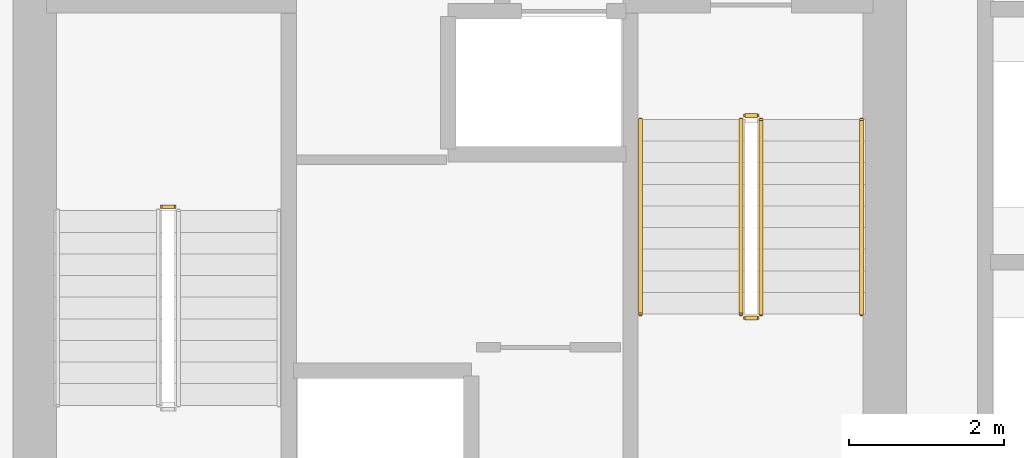
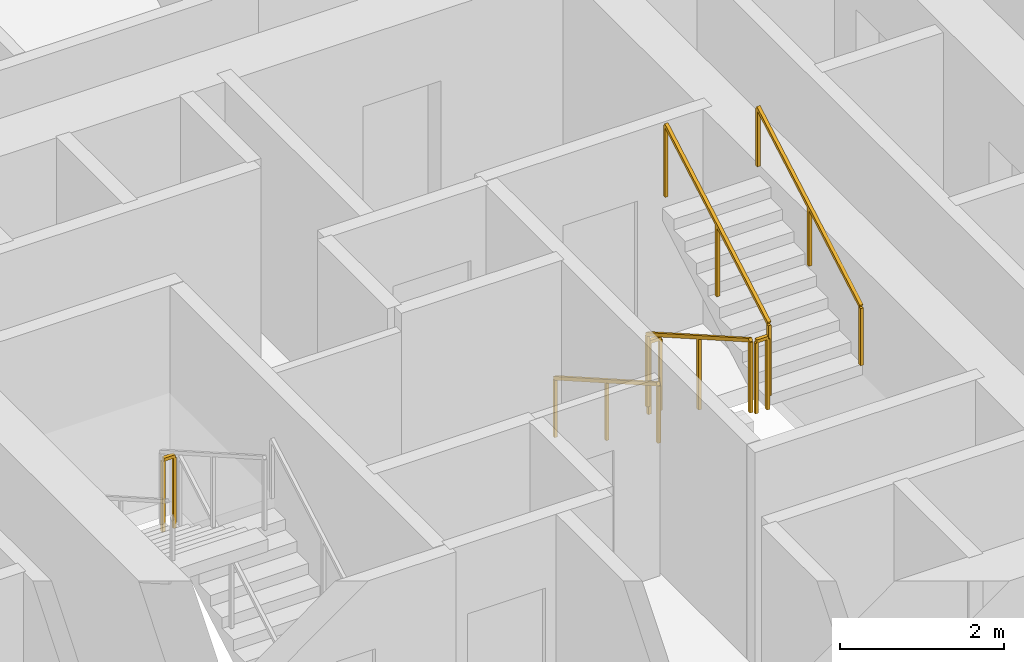
# One storey, part 13 of 14: 7 railings.
"""IFC4 building model written with IfcOpenShell, lengths in metres."""

from ifc_helpers import new_model, si_unit, direction, frame, origin, origin_2d, place, context, subcontext, project, spatial, rectangle, extrude, material, type_object, element, save


model = new_model("IFC4")

# Units and contexts
model_context = context("Model", 3, precision=1e-05, world=origin(), true_north=direction((0.0, 1.0)))
body_context = subcontext(model_context, "Body", "Model", "MODEL_VIEW")
ifc_project = project(units=[si_unit("LENGTHUNIT", "METRE"), si_unit("AREAUNIT", "SQUARE_METRE"), si_unit("VOLUMEUNIT", "CUBIC_METRE"), si_unit("PLANEANGLEUNIT", "RADIAN"), si_unit("MASSUNIT", "GRAM", prefix="KILO")], contexts=[model_context])

# Site, building, storey
site_placement = place(None, origin())
site = spatial("IfcSite", under=ifc_project, at=site_placement, CompositionType="ELEMENT")
building_placement = place(site_placement, origin())
building = spatial("IfcBuilding", under=site, at=building_placement, Name="Veldorim Arch Residences", CompositionType="ELEMENT")
storey_placement = place(building_placement, frame((0.0, 0.0, 99.679931640625)))
storey = spatial("IfcBuildingStorey", under=building, at=storey_placement, Name="L29", CompositionType="ELEMENT", Elevation=99.679931640625)

# Railings
ifc_material_1 = material(Name="Steel S355", Category="steel")
railing_type_1 = type_object("IfcRailingType", Name="Galvanised Steel Stair Safety Guardrail 1100", PredefinedType="GUARDRAIL", material=ifc_material_1)
railing_1_placement = place(storey_placement, frame((28.31005859375, 24.719970703125, 1.60009765625)))
element("IfcRailing", 1, at=railing_1_placement, inside=storey, type_object=railing_type_1, Name="L29 ST-1 stair guard 2", PredefinedType="GUARDRAIL", context=body_context, shape_type="SweptSolid", body=[
    extrude(rectangle(XDim=0.048095703125, YDim=0.048095703125, at=origin_2d()), frame((0.0, 0.0, 1.076171875), z_axis=(-1.0, 0.0, 0.0), x_axis=(0.0, -1.0, 0.0)), (0.0, 0.0, 1.0), 0.16015625),
    extrude(rectangle(XDim=0.0419921875, YDim=0.0419921875, at=origin_2d()), origin(), (0.0, 0.0, 1.0), 1.052001953125),
    extrude(rectangle(XDim=0.0419921875, YDim=0.0419921875, at=origin_2d()), frame((-0.16015625, 0.0, 0.0)), (0.0, 0.0, 1.0), 1.052001953125),
])
railing_2_placement = place(storey_placement, frame((35.639892578125, 25.85009765625, 0.16015625)))
element("IfcRailing", 2, at=railing_2_placement, inside=storey, type_object=railing_type_1, Name="L29 ST-2 stair guard 1", PredefinedType="GUARDRAIL", context=body_context, shape_type="SweptSolid", body=[
    extrude(rectangle(XDim=0.048095703125, YDim=0.048095703125, at=origin_2d()), frame((0.0, 0.0, 1.076171875), z_axis=(0.0, -0.868253494771, 0.496120820787), x_axis=(1.0, 0.0, 0.0)), (0.0, 0.0, 1.0), 2.90234375),
    extrude(rectangle(XDim=0.0419921875, YDim=0.0419921875, at=origin_2d()), origin(), (0.0, 0.0, 1.0), 1.052001953125),
    extrude(rectangle(XDim=0.0419921875, YDim=0.0419921875, at=origin_2d()), frame((0.0, -1.260009765625, 0.719970703125)), (0.0, 0.0, 1.0), 1.052001953125),
    extrude(rectangle(XDim=0.0419921875, YDim=0.0419921875, at=origin_2d()), frame((0.0, -2.52001953125, 1.43994140625)), (0.0, 0.0, 1.0), 1.052001953125),
])
railing_3_placement = place(storey_placement, frame((35.68994140625, 23.280029296875, 1.60009765625)))
element("IfcRailing", 3, at=railing_3_placement, inside=storey, type_object=railing_type_1, Name="L29 ST-2 stair guard 2", PredefinedType="GUARDRAIL", context=body_context, shape_type="SweptSolid", body=[
    extrude(rectangle(XDim=0.048095703125, YDim=0.048095703125, at=origin_2d()), frame((0.0, 0.0, 1.076171875), z_axis=(1.0, 0.0, 0.0), x_axis=(0.0, 1.0, 0.0)), (0.0, 0.0, 1.0), 0.16015625),
    extrude(rectangle(XDim=0.0419921875, YDim=0.0419921875, at=origin_2d()), origin(), (0.0, 0.0, 1.0), 1.052001953125),
    extrude(rectangle(XDim=0.0419921875, YDim=0.0419921875, at=origin_2d()), frame((0.16015625, 0.0, 0.0)), (0.0, 0.0, 1.0), 1.052001953125),
])
railing_4_placement = place(storey_placement, frame((35.89990234375, 23.330078125, 1.760009765625)))
element("IfcRailing", 4, at=railing_4_placement, inside=storey, type_object=railing_type_1, Name="L29 ST-2 stair guard 3", PredefinedType="GUARDRAIL", context=body_context, shape_type="SweptSolid", body=[
    extrude(rectangle(XDim=0.048095703125, YDim=0.048095703125, at=origin_2d()), frame((0.0, 0.0, 1.076171875), z_axis=(0.0, 0.868253494771, 0.496120820787), x_axis=(-1.0, 0.0, 0.0)), (0.0, 0.0, 1.0), 2.90234375),
    extrude(rectangle(XDim=0.0419921875, YDim=0.0419921875, at=origin_2d()), origin(), (0.0, 0.0, 1.0), 1.052001953125),
    extrude(rectangle(XDim=0.0419921875, YDim=0.0419921875, at=origin_2d()), frame((0.0, 1.260009765625, 0.719970703125)), (0.0, 0.0, 1.0), 1.052001953125),
    extrude(rectangle(XDim=0.0419921875, YDim=0.0419921875, at=origin_2d()), frame((0.0, 2.52001953125, 1.43994140625)), (0.0, 0.0, 1.0), 1.052001953125),
])
railing_5_placement = place(storey_placement, frame((35.68994140625, 25.89990234375, 0.0)))
element("IfcRailing", 5, at=railing_5_placement, inside=storey, type_object=railing_type_1, Name="L29 ST-2 stair guard 4", PredefinedType="GUARDRAIL", context=body_context, shape_type="SweptSolid", body=[
    extrude(rectangle(XDim=0.048095703125, YDim=0.048095703125, at=origin_2d()), frame((0.0, 0.0, 1.076171875), z_axis=(1.0, 0.0, 0.0), x_axis=(0.0, 1.0, 0.0)), (0.0, 0.0, 1.0), 0.16015625),
    extrude(rectangle(XDim=0.0419921875, YDim=0.0419921875, at=origin_2d()), origin(), (0.0, 0.0, 1.0), 1.052001953125),
    extrude(rectangle(XDim=0.0419921875, YDim=0.0419921875, at=origin_2d()), frame((0.16015625, 0.0, 0.0)), (0.0, 0.0, 1.0), 1.052001953125),
])
ifc_material_2 = material(Name="Stainless Steel", Category="steel")
railing_type_2 = type_object("IfcRailingType", Name="Tubular Steel Continuous Wall Handrail 900", PredefinedType="HANDRAIL", material=ifc_material_2)
railing_6_placement = place(storey_placement, frame((34.340087890625, 25.85009765625, 0.16015625)))
element("IfcRailing", 6, at=railing_6_placement, inside=storey, type_object=railing_type_2, Name="L29 ST-2 stair handrail 1", PredefinedType="HANDRAIL", context=body_context, shape_type="SweptSolid", body=[
    extrude(rectangle(XDim=0.048095703125, YDim=0.048095703125, at=origin_2d()), frame((0.0, 0.0, 0.8759765625), z_axis=(0.0, -0.868253494771, 0.496120820787), x_axis=(1.0, 0.0, 0.0)), (0.0, 0.0, 1.0), 2.90234375),
    extrude(rectangle(XDim=0.0419921875, YDim=0.0419921875, at=origin_2d()), origin(), (0.0, 0.0, 1.0), 0.851806640625),
    extrude(rectangle(XDim=0.0419921875, YDim=0.0419921875, at=origin_2d()), frame((0.0, -1.260009765625, 0.719970703125)), (0.0, 0.0, 1.0), 0.851806640625),
    extrude(rectangle(XDim=0.0419921875, YDim=0.0419921875, at=origin_2d()), frame((0.0, -2.52001953125, 1.43994140625)), (0.0, 0.0, 1.0), 0.851806640625),
])
railing_7_placement = place(storey_placement, frame((37.199951171875, 23.330078125, 1.760009765625)))
element("IfcRailing", 7, at=railing_7_placement, inside=storey, type_object=railing_type_2, Name="L29 ST-2 stair handrail 2", PredefinedType="HANDRAIL", context=body_context, shape_type="SweptSolid", body=[
    extrude(rectangle(XDim=0.048095703125, YDim=0.048095703125, at=origin_2d()), frame((0.0, 0.0, 0.8759765625), z_axis=(0.0, 0.868253494771, 0.496120820787), x_axis=(-1.0, 0.0, 0.0)), (0.0, 0.0, 1.0), 2.90234375),
    extrude(rectangle(XDim=0.0419921875, YDim=0.0419921875, at=origin_2d()), origin(), (0.0, 0.0, 1.0), 0.851806640625),
    extrude(rectangle(XDim=0.0419921875, YDim=0.0419921875, at=origin_2d()), frame((0.0, 1.260009765625, 0.719970703125)), (0.0, 0.0, 1.0), 0.851806640625),
    extrude(rectangle(XDim=0.0419921875, YDim=0.0419921875, at=origin_2d()), frame((0.0, 2.52001953125, 1.43994140625)), (0.0, 0.0, 1.0), 0.851806640625),
])

save(model, "model.ifc")
